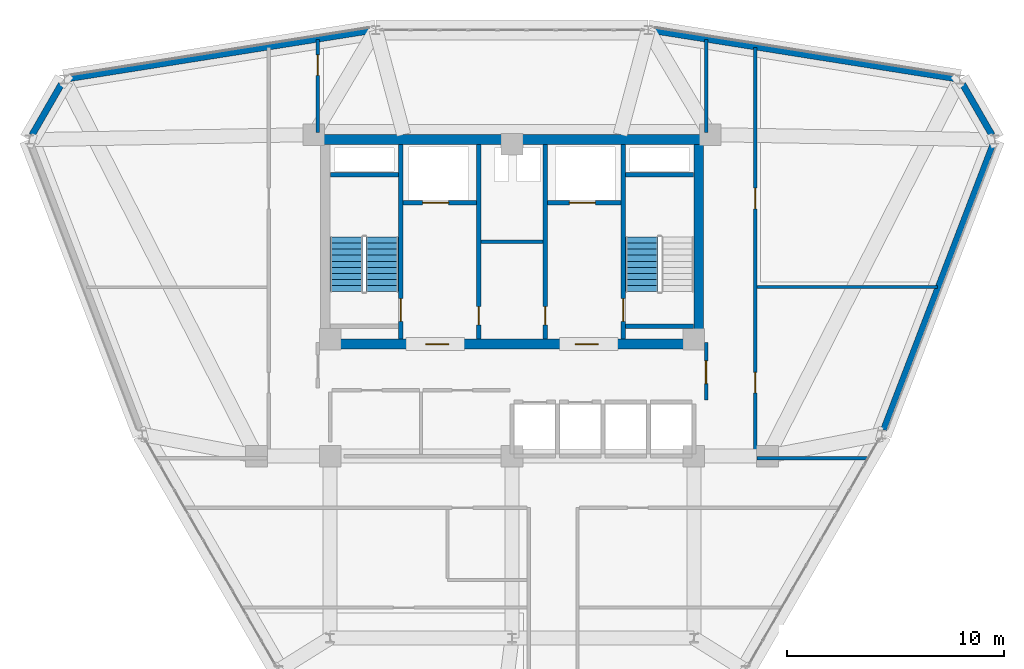
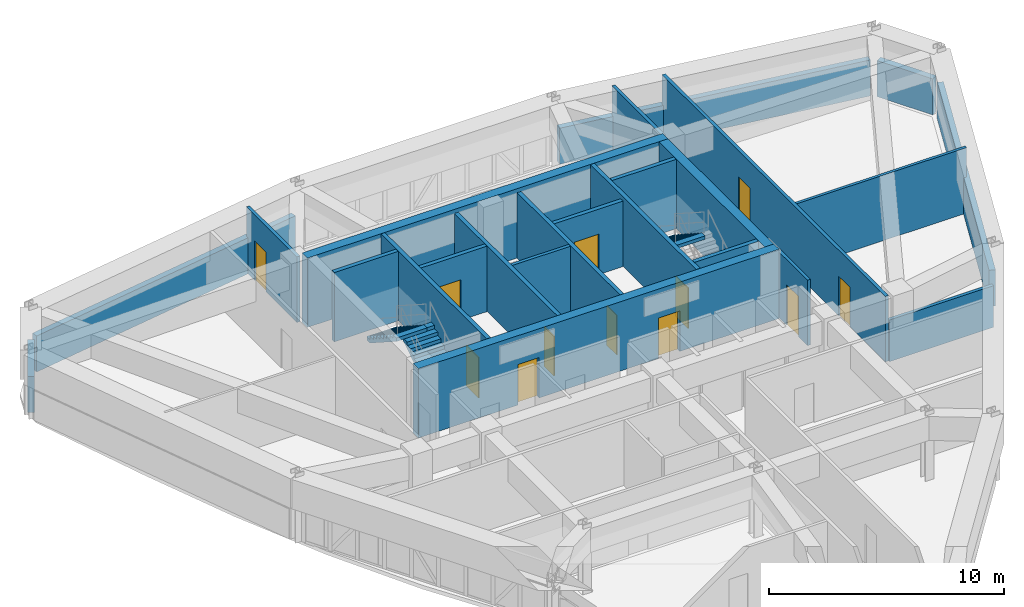
# One storey, part 11 of 14: 24 walls, 12 doors, 3 stair flights, 12 openings, 2 elements without a shape of their own.
"""IFC4 building model written with IfcOpenShell, lengths in metres."""

from ifc_helpers import new_model, si_unit, derived_unit, direction, frame, frame_2d, origin, place, context, subcontext, project, spatial, polyline, rectangle, outline, extrude, material, layer, layer_set, type_object, element, fill, aggregate, save


model = new_model("IFC4")

# Units and contexts
model_context = context("Model", 3, precision=1e-05, world=origin(), true_north=direction((0.0, 1.0)))
body_context = subcontext(model_context, "Body", "Model", "MODEL_VIEW")
ifc_project = project(units=[si_unit("LENGTHUNIT", "METRE"), si_unit("AREAUNIT", "SQUARE_METRE"), si_unit("VOLUMEUNIT", "CUBIC_METRE"), si_unit("PLANEANGLEUNIT", "RADIAN"), si_unit("MASSUNIT", "GRAM", prefix="KILO"), derived_unit("THERMALTRANSMITTANCEUNIT", [(si_unit("POWERUNIT", "WATT"), 1), (si_unit("LENGTHUNIT", "METRE"), -2), (si_unit("THERMODYNAMICTEMPERATUREUNIT", "KELVIN"), -1)])], contexts=[model_context])

# Site, building, storey
site_placement = place(None, origin())
site = spatial("IfcSite", under=ifc_project, at=site_placement, CompositionType="ELEMENT")
building_placement = place(site_placement, origin())
building = spatial("IfcBuilding", under=site, at=building_placement, Name="Korsvarv Bourse and Concert Hall", CompositionType="ELEMENT")
storey_placement = place(building_placement, frame((0.0, 0.0, 186.60009765625)))
storey = spatial("IfcBuildingStorey", under=building, at=storey_placement, Name="L48", CompositionType="ELEMENT", Elevation=186.60009765625)

# Wall, opening, door
ifc_material_1 = material(Name="Concrete C50/60", Category="concrete")
ifc_layer_1 = layer(ifc_material_1, 0.3798828125)
ifc_layer_set_1 = layer_set([ifc_layer_1], Name="Concrete C50/60")
wall_type_1 = type_object("IfcWallType", Name="WL-CORE-380", PredefinedType="SHEAR", material=ifc_layer_set_1)
wall_1_placement = place(storey_placement, frame((30.860107421875, 37.81005859375, 0.0), z_axis=(0.0, 0.0, 1.0), x_axis=(0.0, 1.0, 0.0)))
wall_1 = element("IfcWall", 1, at=wall_1_placement, inside=storey, type_object=wall_type_1, Name="L48 stair shaft structural wall W-L48-ST1-E", PredefinedType="SHEAR", context=body_context, shape_type="SweptSolid", body=[
    extrude(rectangle(XDim=8.97998046875, YDim=0.199951171875, at=frame_2d((4.489990234375, 0.0))), origin(), (0.0, 0.0, 1.0), 3.599853515625),
])
opening_1_placement = place(wall_1_placement, frame((0.820068359375, 0.0, 0.0)))
opening_1 = element("IfcOpeningElement", 2, at=opening_1_placement, cuts=wall_1, Name="Opening D-01", PredefinedType="OPENING", context=body_context, shape_type="SweptSolid", body=[
    extrude(rectangle(XDim=1.050048828125, YDim=2.10009765625, at=frame_2d((0.52490234375, 1.050048828125))), frame((0.0, 0.10986328125, 0.0), z_axis=(0.0, -1.0, 0.0), x_axis=(1.0, 0.0, 0.0)), (0.0, 0.0, 1.0), 0.219970703125),
])
ifc_material_2 = material(Name="Steel S355 fire door", Category="steel")
door_type_1 = type_object("IfcDoorType", Name="DR-FD60", OperationType="NOTDEFINED", PredefinedType="DOOR", material=ifc_material_2)
door_1_placement = place(opening_1_placement, origin())
door_1 = element("IfcDoor", 3, at=door_1_placement, inside=storey, type_object=door_type_1, Name="L48 interior door DR-L48-ST1", OperationType="SINGLE_SWING_RIGHT", OverallHeight=2.10009765625, OverallWidth=1.050048828125, PredefinedType="DOOR", context=body_context, shape_type="SweptSolid", body=[
    extrude(rectangle(XDim=1.050048828125, YDim=2.10009765625, at=frame_2d((0.52490234375, 1.050048828125))), frame((0.0, 0.02490234375, 0.0), z_axis=(0.0, -1.0, 0.0), x_axis=(1.0, 0.0, 0.0)), (0.0, 0.0, 1.0), 0.050048828125),
])
fill(opening_1, door_1)

# Wall
wall_2_placement = place(storey_placement, frame((27.610107421875, 45.39990234375, 0.0), z_axis=(0.0, 0.0, 1.0), x_axis=(1.0, 0.0, 0.0)))
element("IfcWall", 4, at=wall_2_placement, inside=storey, type_object=wall_type_1, Name="L48 stair shaft structural wall W-L48-ST1-N", PredefinedType="SHEAR", context=body_context, shape_type="SweptSolid", body=[
    extrude(rectangle(XDim=3.139892578125, YDim=0.199951171875, at=frame_2d((1.56982421875, 0.0))), origin(), (0.0, 0.0, 1.0), 3.599853515625),
])

# Wall, opening, door
wall_3_placement = place(storey_placement, frame((41.139892578125, 37.81005859375, 0.0), z_axis=(0.0, 0.0, 1.0), x_axis=(0.0, 1.0, 0.0)))
wall_3 = element("IfcWall", 5, at=wall_3_placement, inside=storey, type_object=wall_type_1, Name="L48 stair shaft structural wall W-L48-ST2-W", PredefinedType="SHEAR", context=body_context, shape_type="SweptSolid", body=[
    extrude(rectangle(XDim=8.97998046875, YDim=0.199951171875, at=frame_2d((4.489990234375, 0.0))), origin(), (0.0, 0.0, 1.0), 3.599853515625),
])
opening_2_placement = place(wall_3_placement, frame((0.820068359375, 0.0, 0.0)))
opening_2 = element("IfcOpeningElement", 6, at=opening_2_placement, cuts=wall_3, Name="Opening D-01", PredefinedType="OPENING", context=body_context, shape_type="SweptSolid", body=[
    extrude(rectangle(XDim=1.050048828125, YDim=2.10009765625, at=frame_2d((0.52490234375, 1.050048828125))), frame((0.0, 0.10986328125, 0.0), z_axis=(0.0, -1.0, 0.0), x_axis=(1.0, 0.0, 0.0)), (0.0, 0.0, 1.0), 0.219970703125),
])
door_2_placement = place(opening_2_placement, frame((1.050048828125, 0.0, 0.0), z_axis=(0.0, 0.0, 1.0), x_axis=(-1.0, 0.0, 0.0)))
door_2 = element("IfcDoor", 7, at=door_2_placement, inside=storey, type_object=door_type_1, Name="L48 interior door DR-L48-ST2", OperationType="SINGLE_SWING_LEFT", OverallHeight=2.10009765625, OverallWidth=1.050048828125, PredefinedType="DOOR", context=body_context, shape_type="SweptSolid", body=[
    extrude(rectangle(XDim=1.050048828125, YDim=2.10009765625, at=frame_2d((0.52490234375, 1.050048828125))), frame((0.0, 0.02490234375, 0.0), z_axis=(0.0, -1.0, 0.0), x_axis=(1.0, 0.0, 0.0)), (0.0, 0.0, 1.0), 0.050048828125),
])
fill(opening_2, door_2)

# Walls
for number, where, z_axis, x_axis, name in (
    (8, (41.25, 45.39990234375, 0.0), (0.0, 0.0, 1.0), (1.0, 0.0, 0.0), "L48 stair shaft structural wall W-L48-ST2-N"),
    (9, (41.25, 38.39990234375, 0.0), (0.0, 0.0, 1.0), (1.0, 0.0, 0.0), "L48 stair shaft structural wall W-L48-ST2-S"),
):
    element("IfcWall", number, at=place(storey_placement, frame(where, z_axis=z_axis, x_axis=x_axis)), inside=storey, type_object=wall_type_1, Name=name, PredefinedType="SHEAR", context=body_context, shape_type="SweptSolid", body=[
        extrude(rectangle(XDim=3.139892578125, YDim=0.199951171875, at=frame_2d((1.56982421875, 0.0))), origin(), (0.0, 0.0, 1.0), 3.599853515625),
    ])
ifc_material_3 = material(Name="Concrete C55/67", Category="concrete")
ifc_layer_2 = layer(ifc_material_3, 0.449951171875)
ifc_layer_set_2 = layer_set([ifc_layer_2], Name="Concrete C55/67")
wall_type_2 = type_object("IfcWallType", Name="WL-CORE-450", PredefinedType="SHEAR", material=ifc_layer_set_2)
wall_4_placement = place(storey_placement, frame((27.14990234375, 47.02490234375, 0.0), z_axis=(0.0, 0.0, 1.0), x_axis=(1.0, 0.0, 0.0)))
element("IfcWall", 10, at=wall_4_placement, inside=storey, type_object=wall_type_2, Name="L48 North Core Shear Wall", PredefinedType="SHEAR", context=body_context, shape_type="SweptSolid", body=[
    extrude(rectangle(XDim=17.7001953125, YDim=0.449951171875, at=frame_2d((8.85009765625, 0.0))), origin(), (0.0, 0.0, 1.0), 3.599853515625),
])

# Wall, openings, doors
wall_5_placement = place(storey_placement, frame((27.14990234375, 37.574951171875, 0.0), z_axis=(0.0, 0.0, 1.0), x_axis=(1.0, 0.0, 0.0)))
wall_5 = element("IfcWall", 11, at=wall_5_placement, inside=storey, type_object=wall_type_2, Name="L48 South Core Shear Wall", PredefinedType="SHEAR", context=body_context, shape_type="SweptSolid", body=[
    extrude(rectangle(XDim=17.7001953125, YDim=0.449951171875, at=frame_2d((8.85009765625, 0.0))), origin(), (0.0, 0.0, 1.0), 3.599853515625),
])
opening_3_placement = place(wall_5_placement, frame((4.875, 0.0, 0.0)))
opening_3 = element("IfcOpeningElement", 12, at=opening_3_placement, cuts=wall_5, Name="Opening D-01", PredefinedType="OPENING", context=body_context, shape_type="SweptSolid", body=[
    extrude(rectangle(XDim=1.050048828125, YDim=2.10009765625, at=frame_2d((0.52490234375, 1.050048828125))), frame((0.0, 0.23486328125, 0.0), z_axis=(0.0, -1.0, 0.0), x_axis=(1.0, 0.0, 0.0)), (0.0, 0.0, 1.0), 0.469970703125),
])
opening_4_placement = place(wall_5_placement, frame((11.77490234375, 0.0, 0.0)))
opening_4 = element("IfcOpeningElement", 13, at=opening_4_placement, cuts=wall_5, Name="Opening D-01", PredefinedType="OPENING", context=body_context, shape_type="SweptSolid", body=[
    extrude(rectangle(XDim=1.050048828125, YDim=2.10009765625, at=frame_2d((0.52490234375, 1.050048828125))), frame((0.0, 0.23486328125, 0.0), z_axis=(0.0, -1.0, 0.0), x_axis=(1.0, 0.0, 0.0)), (0.0, 0.0, 1.0), 0.469970703125),
])
door_3_placement = place(opening_3_placement, frame((1.050048828125, 0.0, 0.0), z_axis=(0.0, 0.0, 1.0), x_axis=(-1.0, 0.0, 0.0)))
door_3 = element("IfcDoor", 14, at=door_3_placement, inside=storey, type_object=door_type_1, Name="L48 firefighting lobby fire door DR-L48-FFLW", OperationType="SINGLE_SWING_LEFT", OverallHeight=2.10009765625, OverallWidth=1.050048828125, PredefinedType="DOOR", context=body_context, shape_type="SweptSolid", body=[
    extrude(rectangle(XDim=1.050048828125, YDim=2.10009765625, at=frame_2d((0.52490234375, 1.050048828125))), frame((0.0, 0.02490234375, 0.0), z_axis=(0.0, -1.0, 0.0), x_axis=(1.0, 0.0, 0.0)), (0.0, 0.0, 1.0), 0.050048828125),
])
fill(opening_3, door_3)
door_4_placement = place(opening_4_placement, frame((1.050048828125, 0.0, 0.0), z_axis=(0.0, 0.0, 1.0), x_axis=(-1.0, 0.0, 0.0)))
door_4 = element("IfcDoor", 15, at=door_4_placement, inside=storey, type_object=door_type_1, Name="L48 firefighting lobby fire door DR-L48-FFLE", OperationType="SINGLE_SWING_RIGHT", OverallHeight=2.10009765625, OverallWidth=1.050048828125, PredefinedType="DOOR", context=body_context, shape_type="SweptSolid", body=[
    extrude(rectangle(XDim=1.050048828125, YDim=2.10009765625, at=frame_2d((0.52490234375, 1.050048828125))), frame((0.0, 0.02490234375, 0.0), z_axis=(0.0, -1.0, 0.0), x_axis=(1.0, 0.0, 0.0)), (0.0, 0.0, 1.0), 0.050048828125),
])
fill(opening_4, door_4)

# Walls
wall_6_placement = place(storey_placement, frame((44.625, 37.800048828125, 0.0), z_axis=(0.0, 0.0, 1.0), x_axis=(0.0, 1.0, 0.0)))
element("IfcWall", 16, at=wall_6_placement, inside=storey, type_object=wall_type_2, Name="L48 East Core Shear Wall", PredefinedType="SHEAR", context=body_context, shape_type="SweptSolid", body=[
    extrude(rectangle(XDim=9.0, YDim=0.449951171875, at=frame_2d((4.5, 0.0))), origin(), (0.0, 0.0, 1.0), 3.599853515625),
])
ifc_material_4 = material(Name="Precast concrete C45/55 with terracotta rainscreen", Category="concrete")
ifc_layer_3 = layer(ifc_material_4, 0.300048828125)
ifc_layer_set_3 = layer_set([ifc_layer_3], Name="Precast concrete C45/55 with terracotta rainscreen")
wall_type_3 = type_object("IfcWallType", Name="WL-EXT-TC1", PredefinedType="SOLIDWALL", material=ifc_layer_set_3)
for number, where, z_axis, x_axis, name in (
    (17, (58.167236328125, 47.225830078125, 0.0), (0.0, 0.0, 1.0), (-0.499947493121, 0.866055716523, 0.0), "L48 terracotta exterior wall EW-L48-B01"),
    (18, (15.1943359375, 49.58447265625, 0.0), (0.0, 0.0, 1.0), (-0.499947493121, -0.866055716523, 0.0), "L48 terracotta exterior wall EW-L48-B05"),
):
    element("IfcWall", number, at=place(storey_placement, frame(where, z_axis=z_axis, x_axis=x_axis)), inside=storey, type_object=wall_type_3, Name=name, PredefinedType="SOLIDWALL", context=body_context, shape_type="SweptSolid", body=[
        extrude(rectangle(XDim=2.723388671875, YDim=0.300048828125, at=frame_2d((1.36181640625, 0.0))), origin(), (0.0, 0.0, 1.0), 1.869873046875),
    ])
ifc_material_5 = material(Name="Precast concrete C45/55 with fluted terracotta pier", Category="concrete")
ifc_layer_4 = layer(ifc_material_5, 0.280029296875)
ifc_layer_set_4 = layer_set([ifc_layer_4], Name="Precast concrete C45/55 with fluted terracotta pier")
wall_type_4 = type_object("IfcWallType", Name="WL-EXT-TC2", PredefinedType="SOLIDWALL", material=ifc_layer_set_4)
for number, where, z_axis, x_axis, name in (
    (19, (56.474609375, 49.83056640625, 0.0), (0.0, 0.0, 1.0), (-0.987634086957, 0.156776625426, 0.0), "L48 terracotta exterior wall EW-L48-B02"),
    (20, (29.502685546875, 52.04931640625, 0.0), (0.0, 0.0, 1.0), (-0.987634086957, -0.156776625426, 0.0), "L48 terracotta exterior wall EW-L48-B04"),
):
    element("IfcWall", number, at=place(storey_placement, frame(where, z_axis=z_axis, x_axis=x_axis)), inside=storey, type_object=wall_type_4, Name=name, PredefinedType="SOLIDWALL", context=body_context, shape_type="SweptSolid", body=[
        extrude(rectangle(XDim=14.15234375, YDim=0.280029296875, at=frame_2d((7.076171875, 0.0))), origin(), (0.0, 0.0, 1.0), 1.869873046875),
    ])
wall_7_placement = place(storey_placement, frame((53.154052734375, 33.618408203125, 0.0), z_axis=(0.0, 0.0, 1.0), x_axis=(0.358033263681, 0.933708831541, 0.0)))
element("IfcWall", 21, at=wall_7_placement, inside=storey, type_object=wall_type_4, Name="L48 terracotta exterior wall EW-L48-B12", PredefinedType="SOLIDWALL", context=body_context, shape_type="SweptSolid", body=[
    extrude(rectangle(XDim=14.1171875, YDim=0.280029296875, at=frame_2d((7.05859375, 0.0))), origin(), (0.0, 0.0, 1.0), 1.869873046875),
])

# Wall, opening, door
ifc_material_6 = material(Name="Reinforced concrete blockwork C35/45 fire wall", Category="concrete")
ifc_layer_5 = layer(ifc_material_6, 0.199951171875)
ifc_layer_set_5 = layer_set([ifc_layer_5], Name="Reinforced concrete blockwork C35/45 fire wall")
wall_type_5 = type_object("IfcWallType", Name="WL-INT-EI120", PredefinedType="PARTITIONING", material=ifc_layer_set_5)
wall_8_placement = place(storey_placement, frame((30.969970703125, 44.10009765625, 0.0), z_axis=(0.0, 0.0, 1.0), x_axis=(1.0, 0.0, 0.0)))
wall_8 = element("IfcWall", 22, at=wall_8_placement, inside=storey, type_object=wall_type_5, Name="L48 interior partition wall W-L48-FF1-S", PredefinedType="PARTITIONING", context=body_context, shape_type="SweptSolid", body=[
    extrude(rectangle(XDim=3.380126953125, YDim=0.199951171875, at=frame_2d((1.68994140625, 0.0))), origin(), (0.0, 0.0, 1.0), 3.39990234375),
])
opening_5_placement = place(wall_8_placement, frame((0.89990234375, 0.0, 0.0)))
opening_5 = element("IfcOpeningElement", 23, at=opening_5_placement, cuts=wall_8, Name="Opening LD-1", PredefinedType="OPENING", context=body_context, shape_type="SweptSolid", body=[
    extrude(rectangle(XDim=1.199951171875, YDim=2.10009765625, at=frame_2d((0.60009765625, 1.050048828125))), frame((0.0, 0.10986328125, 0.0), z_axis=(0.0, -1.0, 0.0), x_axis=(1.0, 0.0, 0.0)), (0.0, 0.0, 1.0), 0.219970703125),
])
ifc_material_7 = material(Name="Stainless Steel S355 firefighting lift landing door", Category="steel")
door_type_2 = type_object("IfcDoorType", Name="DR-LIFT-FF", OperationType="DOUBLE_DOOR_SLIDING", PredefinedType="DOOR", material=ifc_material_7)
door_5_placement = place(opening_5_placement, origin())
door_5 = element("IfcDoor", 24, at=door_5_placement, inside=storey, type_object=door_type_2, Name="L48 lift sliding landing door LD-L48-FF1", OperationType="DOUBLE_DOOR_SLIDING", OverallHeight=2.10009765625, OverallWidth=1.199951171875, PredefinedType="DOOR", context=body_context, shape_type="SweptSolid", body=[
    extrude(rectangle(XDim=1.199951171875, YDim=2.10009765625, at=frame_2d((0.60009765625, 1.050048828125))), frame((0.0, 0.02490234375, 0.0), z_axis=(0.0, -1.0, 0.0), x_axis=(1.0, 0.0, 0.0)), (0.0, 0.0, 1.0), 0.050048828125),
])
fill(opening_5, door_5)

wall_9_placement = place(storey_placement, frame((37.64990234375, 44.10009765625, 0.0), z_axis=(0.0, 0.0, 1.0), x_axis=(1.0, 0.0, 0.0)))
wall_9 = element("IfcWall", 25, at=wall_9_placement, inside=storey, type_object=wall_type_5, Name="L48 interior partition wall W-L48-FF2-S", PredefinedType="PARTITIONING", context=body_context, shape_type="SweptSolid", body=[
    extrude(rectangle(XDim=3.380126953125, YDim=0.199951171875, at=frame_2d((1.68994140625, 0.0))), origin(), (0.0, 0.0, 1.0), 3.39990234375),
])
opening_6_placement = place(wall_9_placement, frame((1.0, 0.0, 0.0)))
opening_6 = element("IfcOpeningElement", 26, at=opening_6_placement, cuts=wall_9, Name="Opening LD-1", PredefinedType="OPENING", context=body_context, shape_type="SweptSolid", body=[
    extrude(rectangle(XDim=1.199951171875, YDim=2.10009765625, at=frame_2d((0.60009765625, 1.050048828125))), frame((0.0, 0.10986328125, 0.0), z_axis=(0.0, -1.0, 0.0), x_axis=(1.0, 0.0, 0.0)), (0.0, 0.0, 1.0), 0.219970703125),
])
door_6_placement = place(opening_6_placement, origin())
door_6 = element("IfcDoor", 27, at=door_6_placement, inside=storey, type_object=door_type_2, Name="L48 lift sliding landing door LD-L48-FF2", OperationType="DOUBLE_DOOR_SLIDING", OverallHeight=2.10009765625, OverallWidth=1.199951171875, PredefinedType="DOOR", context=body_context, shape_type="SweptSolid", body=[
    extrude(rectangle(XDim=1.199951171875, YDim=2.10009765625, at=frame_2d((0.60009765625, 1.050048828125))), frame((0.0, 0.02490234375, 0.0), z_axis=(0.0, -1.0, 0.0), x_axis=(1.0, 0.0, 0.0)), (0.0, 0.0, 1.0), 0.050048828125),
])
fill(opening_6, door_6)

wall_10_placement = place(storey_placement, frame((34.4599609375, 37.81005859375, 0.0), z_axis=(0.0, 0.0, 1.0), x_axis=(0.0, 1.0, 0.0)))
wall_10 = element("IfcWall", 28, at=wall_10_placement, inside=storey, type_object=wall_type_5, Name="L48 interior partition wall W-L48-CSB-W", PredefinedType="PARTITIONING", context=body_context, shape_type="SweptSolid", body=[
    extrude(rectangle(XDim=8.97998046875, YDim=0.199951171875, at=frame_2d((4.489990234375, 0.0))), origin(), (0.0, 0.0, 1.0), 3.39990234375),
])
opening_7_placement = place(wall_10_placement, frame((0.64990234375, 0.0, 0.0)))
opening_7 = element("IfcOpeningElement", 29, at=opening_7_placement, cuts=wall_10, Name="Opening D-05", PredefinedType="OPENING", context=body_context, shape_type="SweptSolid", body=[
    extrude(rectangle(XDim=0.85009765625, YDim=2.050048828125, at=frame_2d((0.425048828125, 1.02490234375))), frame((0.0, 0.10986328125, 0.0), z_axis=(0.0, -1.0, 0.0), x_axis=(1.0, 0.0, 0.0)), (0.0, 0.0, 1.0), 0.219970703125),
])
door_type_3 = type_object("IfcDoorType", Name="DR-FD60-850X2050", OperationType="NOTDEFINED", PredefinedType="DOOR", material=ifc_material_2)
door_7_placement = place(opening_7_placement, frame((0.85009765625, 0.0, 0.0), z_axis=(0.0, 0.0, 1.0), x_axis=(-1.0, 0.0, 0.0)))
door_7 = element("IfcDoor", 30, at=door_7_placement, inside=storey, type_object=door_type_3, Name="L48 interior door DR-L48-CSB1", OperationType="SINGLE_SWING_RIGHT", OverallHeight=2.050048828125, OverallWidth=0.85009765625, PredefinedType="DOOR", context=body_context, shape_type="SweptSolid", body=[
    extrude(rectangle(XDim=0.85009765625, YDim=2.050048828125, at=frame_2d((0.425048828125, 1.02490234375))), frame((0.0, 0.02490234375, 0.0), z_axis=(0.0, -1.0, 0.0), x_axis=(1.0, 0.0, 0.0)), (0.0, 0.0, 1.0), 0.050048828125),
])
fill(opening_7, door_7)

wall_11_placement = place(storey_placement, frame((37.5400390625, 37.81005859375, 0.0), z_axis=(0.0, 0.0, 1.0), x_axis=(0.0, 1.0, 0.0)))
wall_11 = element("IfcWall", 31, at=wall_11_placement, inside=storey, type_object=wall_type_5, Name="L48 interior partition wall W-L48-CSB-E", PredefinedType="PARTITIONING", context=body_context, shape_type="SweptSolid", body=[
    extrude(rectangle(XDim=8.97998046875, YDim=0.199951171875, at=frame_2d((4.489990234375, 0.0))), origin(), (0.0, 0.0, 1.0), 3.39990234375),
])
opening_8_placement = place(wall_11_placement, frame((0.64990234375, 0.0, 0.0)))
opening_8 = element("IfcOpeningElement", 32, at=opening_8_placement, cuts=wall_11, Name="Opening D-05", PredefinedType="OPENING", context=body_context, shape_type="SweptSolid", body=[
    extrude(rectangle(XDim=0.85009765625, YDim=2.050048828125, at=frame_2d((0.425048828125, 1.02490234375))), frame((0.0, 0.10986328125, 0.0), z_axis=(0.0, -1.0, 0.0), x_axis=(1.0, 0.0, 0.0)), (0.0, 0.0, 1.0), 0.219970703125),
])
door_8_placement = place(opening_8_placement, origin())
door_8 = element("IfcDoor", 33, at=door_8_placement, inside=storey, type_object=door_type_3, Name="L48 interior door DR-L48-CSB2", OperationType="SINGLE_SWING_LEFT", OverallHeight=2.050048828125, OverallWidth=0.85009765625, PredefinedType="DOOR", context=body_context, shape_type="SweptSolid", body=[
    extrude(rectangle(XDim=0.85009765625, YDim=2.050048828125, at=frame_2d((0.425048828125, 1.02490234375))), frame((0.0, 0.02490234375, 0.0), z_axis=(0.0, -1.0, 0.0), x_axis=(1.0, 0.0, 0.0)), (0.0, 0.0, 1.0), 0.050048828125),
])
fill(opening_8, door_8)

# Wall
ifc_material_8 = material(Name="Double-stud fire-rated acoustic partition", Category="gypsum")
ifc_layer_6 = layer(ifc_material_8, 0.159912109375)
ifc_layer_set_6 = layer_set([ifc_layer_6], Name="Double-stud fire-rated acoustic partition")
wall_type_6 = type_object("IfcWallType", Name="WL-INT-EI60", PredefinedType="PARTITIONING", material=ifc_layer_set_6)
wall_12_placement = place(storey_placement, frame((34.570068359375, 42.300048828125, 0.0), z_axis=(0.0, 0.0, 1.0), x_axis=(1.0, 0.0, 0.0)))
element("IfcWall", 34, at=wall_12_placement, inside=storey, type_object=wall_type_6, Name="L48 interior partition wall W-L48-K1", PredefinedType="PARTITIONING", context=body_context, shape_type="SweptSolid", body=[
    extrude(rectangle(XDim=2.85986328125, YDim=0.159912109375, at=frame_2d((1.429931640625, 0.0))), origin(), (0.0, 0.0, 1.0), 3.39990234375),
])

# Wall, opening, door
wall_13_placement = place(storey_placement, frame((44.9599609375, 35.0, 0.0), z_axis=(0.0, 0.0, 1.0), x_axis=(0.0, 1.0, 0.0)))
wall_13 = element("IfcWall", 35, at=wall_13_placement, inside=storey, type_object=wall_type_6, Name="L48 interior partition wall W-L48-LOB-E", PredefinedType="PARTITIONING", context=body_context, shape_type="SweptSolid", body=[
    extrude(rectangle(XDim=2.64990234375, YDim=0.159912109375, at=frame_2d((1.324951171875, 0.0))), origin(), (0.0, 0.0, 1.0), 3.39990234375),
])
opening_9_placement = place(wall_13_placement, frame((0.75, 0.0, 0.0)))
opening_9 = element("IfcOpeningElement", 36, at=opening_9_placement, cuts=wall_13, Name="Opening D-01", PredefinedType="OPENING", context=body_context, shape_type="SweptSolid", body=[
    extrude(rectangle(XDim=1.050048828125, YDim=2.10009765625, at=frame_2d((0.52490234375, 1.050048828125))), frame((0.0, 0.08984375, 0.0), z_axis=(0.0, -1.0, 0.0), x_axis=(1.0, 0.0, 0.0)), (0.0, 0.0, 1.0), 0.179931640625),
])
door_9_placement = place(opening_9_placement, origin())
door_9 = element("IfcDoor", 37, at=door_9_placement, inside=storey, type_object=door_type_1, Name="L48 interior door DR-L48-LOBE", OperationType="SINGLE_SWING_LEFT", OverallHeight=2.10009765625, OverallWidth=1.050048828125, PredefinedType="DOOR", context=body_context, shape_type="SweptSolid", body=[
    extrude(rectangle(XDim=1.050048828125, YDim=2.10009765625, at=frame_2d((0.52490234375, 1.050048828125))), frame((0.0, 0.02490234375, 0.0), z_axis=(0.0, -1.0, 0.0), x_axis=(1.0, 0.0, 0.0)), (0.0, 0.0, 1.0), 0.050048828125),
])
fill(opening_9, door_9)

# Wall, openings, doors
wall_14_placement = place(storey_placement, frame((47.22509765625, 32.31005859375, 0.0), z_axis=(0.0, 0.0, 1.0), x_axis=(0.0, 1.0, 0.0)))
wall_14 = element("IfcWall", 38, at=wall_14_placement, inside=storey, type_object=wall_type_6, Name="L48 interior partition wall W-L48-TCOR-01", PredefinedType="PARTITIONING", context=body_context, shape_type="SweptSolid", body=[
    extrude(rectangle(XDim=18.96875, YDim=0.159912109375, at=frame_2d((9.484375, 0.0))), origin(), (0.0, 0.0, 1.0), 3.39990234375),
])
opening_10_placement = place(wall_14_placement, frame((3.008056640625, 0.0, 0.0)))
opening_10 = element("IfcOpeningElement", 39, at=opening_10_placement, cuts=wall_14, Name="Opening D-02", PredefinedType="OPENING", context=body_context, shape_type="SweptSolid", body=[
    extrude(rectangle(XDim=0.949951171875, YDim=2.050048828125, at=frame_2d((0.47509765625, 1.02490234375))), frame((0.0, 0.08984375, 0.0), z_axis=(0.0, -1.0, 0.0), x_axis=(1.0, 0.0, 0.0)), (0.0, 0.0, 1.0), 0.179931640625),
])
opening_11_placement = place(wall_14_placement, frame((11.512939453125, 0.0, 0.0)))
opening_11 = element("IfcOpeningElement", 40, at=opening_11_placement, cuts=wall_14, Name="Opening D-02", PredefinedType="OPENING", context=body_context, shape_type="SweptSolid", body=[
    extrude(rectangle(XDim=0.949951171875, YDim=2.050048828125, at=frame_2d((0.47509765625, 1.02490234375))), frame((0.0, 0.08984375, 0.0), z_axis=(0.0, -1.0, 0.0), x_axis=(1.0, 0.0, 0.0)), (0.0, 0.0, 1.0), 0.179931640625),
])
ifc_material_9 = material(Name="Timber and steel acoustic fire door", Category="wood")
door_type_4 = type_object("IfcDoorType", Name="DR-FD30", OperationType="NOTDEFINED", PredefinedType="DOOR", material=ifc_material_9)
door_10_placement = place(opening_10_placement, origin())
door_10 = element("IfcDoor", 41, at=door_10_placement, inside=storey, type_object=door_type_4, Name="L48 interior door DR-L48-TCOR-AR81", OperationType="SINGLE_SWING_RIGHT", OverallHeight=2.050048828125, OverallWidth=0.949951171875, PredefinedType="DOOR", context=body_context, shape_type="SweptSolid", body=[
    extrude(rectangle(XDim=0.949951171875, YDim=2.050048828125, at=frame_2d((0.47509765625, 1.02490234375))), frame((0.0, 0.02490234375, 0.0), z_axis=(0.0, -1.0, 0.0), x_axis=(1.0, 0.0, 0.0)), (0.0, 0.0, 1.0), 0.050048828125),
])
fill(opening_10, door_10)
door_11_placement = place(opening_11_placement, origin())
door_11 = element("IfcDoor", 42, at=door_11_placement, inside=storey, type_object=door_type_4, Name="L48 interior door DR-L48-TCOR-AR62", OperationType="SINGLE_SWING_LEFT", OverallHeight=2.050048828125, OverallWidth=0.949951171875, PredefinedType="DOOR", context=body_context, shape_type="SweptSolid", body=[
    extrude(rectangle(XDim=0.949951171875, YDim=2.050048828125, at=frame_2d((0.47509765625, 1.02490234375))), frame((0.0, 0.02490234375, 0.0), z_axis=(0.0, -1.0, 0.0), x_axis=(1.0, 0.0, 0.0)), (0.0, 0.0, 1.0), 0.050048828125),
])
fill(opening_11, door_11)

# Wall
wall_15_placement = place(storey_placement, frame((47.306884765625, 32.31494140625, 0.0), z_axis=(0.0, 0.0, 1.0), x_axis=(1.0, 0.0, 0.0)))
element("IfcWall", 43, at=wall_15_placement, inside=storey, type_object=wall_type_6, Name="L48 interior partition wall W-L48-TCOR-07", PredefinedType="PARTITIONING", context=body_context, shape_type="SweptSolid", body=[
    extrude(rectangle(XDim=5.115966796875, YDim=0.159912109375, at=frame_2d((2.55810546875, 0.0))), origin(), (0.0, 0.0, 1.0), 2.159912109375),
])

# Wall, opening, door
wall_16_placement = place(storey_placement, frame((27.034912109375, 47.340087890625, 0.0), z_axis=(0.0, 0.0, 1.0), x_axis=(0.0, 1.0, 0.0)))
wall_16 = element("IfcWall", 44, at=wall_16_placement, inside=storey, type_object=wall_type_6, Name="L48 interior partition wall W-L48-TCOR-09", PredefinedType="PARTITIONING", context=body_context, shape_type="SweptSolid", body=[
    extrude(rectangle(XDim=4.297607421875, YDim=0.159912109375, at=frame_2d((2.14892578125, 0.0))), origin(), (0.0, 0.0, 1.0), 3.39990234375),
])
opening_12_placement = place(wall_16_placement, frame((2.640869140625, 0.0, 0.0)))
opening_12 = element("IfcOpeningElement", 45, at=opening_12_placement, cuts=wall_16, Name="Opening D-02", PredefinedType="OPENING", context=body_context, shape_type="SweptSolid", body=[
    extrude(rectangle(XDim=0.949951171875, YDim=2.050048828125, at=frame_2d((0.47509765625, 1.02490234375))), frame((0.0, 0.08984375, 0.0), z_axis=(0.0, -1.0, 0.0), x_axis=(1.0, 0.0, 0.0)), (0.0, 0.0, 1.0), 0.179931640625),
])
door_12_placement = place(opening_12_placement, origin())
door_12 = element("IfcDoor", 46, at=door_12_placement, inside=storey, type_object=door_type_4, Name="L48 interior door DR-L48-TCOR-RM55", OperationType="SINGLE_SWING_RIGHT", OverallHeight=2.050048828125, OverallWidth=0.949951171875, PredefinedType="DOOR", context=body_context, shape_type="SweptSolid", body=[
    extrude(rectangle(XDim=0.949951171875, YDim=2.050048828125, at=frame_2d((0.47509765625, 1.02490234375))), frame((0.0, 0.02490234375, 0.0), z_axis=(0.0, -1.0, 0.0), x_axis=(1.0, 0.0, 0.0)), (0.0, 0.0, 1.0), 0.050048828125),
])
fill(opening_12, door_12)

# Walls
wall_17_placement = place(storey_placement, frame((44.965087890625, 47.340087890625, 0.0), z_axis=(0.0, 0.0, 1.0), x_axis=(0.0, 1.0, 0.0)))
element("IfcWall", 47, at=wall_17_placement, inside=storey, type_object=wall_type_6, Name="L48 interior partition wall W-L48-TCOR-10", PredefinedType="PARTITIONING", context=body_context, shape_type="SweptSolid", body=[
    extrude(rectangle(XDim=4.297607421875, YDim=0.159912109375, at=frame_2d((2.14892578125, 0.0))), origin(), (0.0, 0.0, 1.0), 3.39990234375),
])
ifc_material_10 = material(Name="Insulated steel-stud office acoustic partition", Category="gypsum")
ifc_layer_7 = layer(ifc_material_10, 0.139892578125)
ifc_layer_set_7 = layer_set([ifc_layer_7], Name="Insulated steel-stud office acoustic partition")
wall_type_7 = type_object("IfcWallType", Name="WL-INT-P1", PredefinedType="PARTITIONING", material=ifc_layer_set_7)
wall_18_placement = place(storey_placement, frame((47.306884765625, 40.205078125, 0.0), z_axis=(0.0, 0.0, 1.0), x_axis=(1.0, 0.0, 0.0)))
element("IfcWall", 48, at=wall_18_placement, inside=storey, type_object=wall_type_7, Name="L48 interior partition wall W-L48-TCOR-14", PredefinedType="PARTITIONING", context=body_context, shape_type="SweptSolid", body=[
    extrude(rectangle(XDim=8.352783203125, YDim=0.139892578125, at=frame_2d((4.17626953125, 0.0))), origin(), (0.0, 0.0, 1.0), 3.39990234375),
])

# Stair, stair flights
ifc_material_11 = material(Name="Precast concrete C45/55", Category="concrete")
stair_type = type_object("IfcStairType", Name="STR-TYPE-04", PredefinedType="HALF_TURN_STAIR", material=ifc_material_11)
stair_1_placement = place(storey_placement, origin())
stair_1 = element("IfcStair", 49, at=stair_1_placement, inside=storey, type_object=stair_type, Name="L48 Tower West Exit Stair ST-T1", PredefinedType="HALF_TURN_STAIR")
stair_flight_type = type_object("IfcStairFlightType", Name="FLT-TYPE-04", PredefinedType="STRAIGHT", material=ifc_material_11)
stair_flight_1_placement = place(storey_placement, frame((30.010009765625, 40.0, 0.0), z_axis=(0.0, 0.0, 1.0), x_axis=(0.0, 1.0, 0.0)))
stair_flight_1 = element("IfcStairFlight", 50, at=stair_flight_1_placement, type_object=stair_flight_type, Name="ST-T1 flight 1", NumberOfRisers=10, NumberOfTreads=9, PredefinedType="STRAIGHT", RiserHeight=0.18, TreadLength=0.28, context=body_context, shape_type="SweptSolid", body=[
    extrude(outline(polyline([(0.0, 0.0), (0.0, 0.179931640625), (0.280029296875, 0.179931640625), (0.280029296875, 0.360107421875), (0.56005859375, 0.360107421875), (0.56005859375, 0.5400390625), (0.840087890625, 0.5400390625), (0.840087890625, 0.719970703125), (1.1201171875, 0.719970703125), (1.1201171875, 0.89990234375), (1.39990234375, 0.89990234375), (1.39990234375, 1.080078125), (1.679931640625, 1.080078125), (1.679931640625, 1.260009765625), (1.9599609375, 1.260009765625), (1.9599609375, 1.43994140625), (2.239990234375, 1.43994140625), (2.239990234375, 1.6201171875), (2.52001953125, 1.6201171875), (2.52001953125, 1.800048828125), (2.52001953125, 1.44189453125), (0.277099609375, 0.0), (0.0, 0.0)])), frame((0.0, 0.75, 0.0), z_axis=(0.0, -1.0, 0.0), x_axis=(1.0, 0.0, 0.0)), (0.0, 0.0, 1.0), 1.5),
])
stair_flight_2_placement = place(storey_placement, frame((28.35009765625, 42.52001953125, 1.7998046875), z_axis=(0.0, 0.0, 1.0), x_axis=(0.0, -1.0, 0.0)))
stair_flight_2 = element("IfcStairFlight", 51, at=stair_flight_2_placement, type_object=stair_flight_type, Name="ST-T1 flight 2", NumberOfRisers=10, NumberOfTreads=9, PredefinedType="STRAIGHT", RiserHeight=0.18, TreadLength=0.28, context=body_context, shape_type="SweptSolid", body=[
    extrude(outline(polyline([(0.0, 0.0), (0.0, 0.179931640625), (0.280029296875, 0.179931640625), (0.280029296875, 0.360107421875), (0.56005859375, 0.360107421875), (0.56005859375, 0.5400390625), (0.840087890625, 0.5400390625), (0.840087890625, 0.719970703125), (1.1201171875, 0.719970703125), (1.1201171875, 0.89990234375), (1.39990234375, 0.89990234375), (1.39990234375, 1.080078125), (1.679931640625, 1.080078125), (1.679931640625, 1.260009765625), (1.9599609375, 1.260009765625), (1.9599609375, 1.43994140625), (2.239990234375, 1.43994140625), (2.239990234375, 1.6201171875), (2.52001953125, 1.6201171875), (2.52001953125, 1.800048828125), (2.52001953125, 1.44189453125), (0.277099609375, 0.0), (0.0, 0.0)])), frame((0.0, 0.75, 0.0), z_axis=(0.0, -1.0, 0.0), x_axis=(1.0, 0.0, 0.0)), (0.0, 0.0, 1.0), 1.5),
])
aggregate(stair_1, [stair_flight_1, stair_flight_2])

# Stair, stair flight
stair_2_placement = place(storey_placement, origin())
stair_2 = element("IfcStair", 52, at=stair_2_placement, inside=storey, type_object=stair_type, Name="L48 Tower East Exit Stair ST-T2", PredefinedType="HALF_TURN_STAIR")
stair_flight_3_placement = place(storey_placement, frame((41.989990234375, 42.52001953125, 1.7998046875), z_axis=(0.0, 0.0, 1.0), x_axis=(0.0, -1.0, 0.0)))
stair_flight_3 = element("IfcStairFlight", 53, at=stair_flight_3_placement, type_object=stair_flight_type, Name="ST-T2 flight 2", NumberOfRisers=10, NumberOfTreads=9, PredefinedType="STRAIGHT", RiserHeight=0.18, TreadLength=0.28, context=body_context, shape_type="SweptSolid", body=[
    extrude(outline(polyline([(0.0, 0.0), (0.0, 0.179931640625), (0.280029296875, 0.179931640625), (0.280029296875, 0.360107421875), (0.56005859375, 0.360107421875), (0.56005859375, 0.5400390625), (0.840087890625, 0.5400390625), (0.840087890625, 0.719970703125), (1.1201171875, 0.719970703125), (1.1201171875, 0.89990234375), (1.39990234375, 0.89990234375), (1.39990234375, 1.080078125), (1.679931640625, 1.080078125), (1.679931640625, 1.260009765625), (1.9599609375, 1.260009765625), (1.9599609375, 1.43994140625), (2.239990234375, 1.43994140625), (2.239990234375, 1.6201171875), (2.52001953125, 1.6201171875), (2.52001953125, 1.800048828125), (2.52001953125, 1.44189453125), (0.277099609375, 0.0), (0.0, 0.0)])), frame((0.0, 0.75, 0.0), z_axis=(0.0, -1.0, 0.0), x_axis=(1.0, 0.0, 0.0)), (0.0, 0.0, 1.0), 1.5),
])
aggregate(stair_2, [stair_flight_3])

save(model, "model.ifc")
